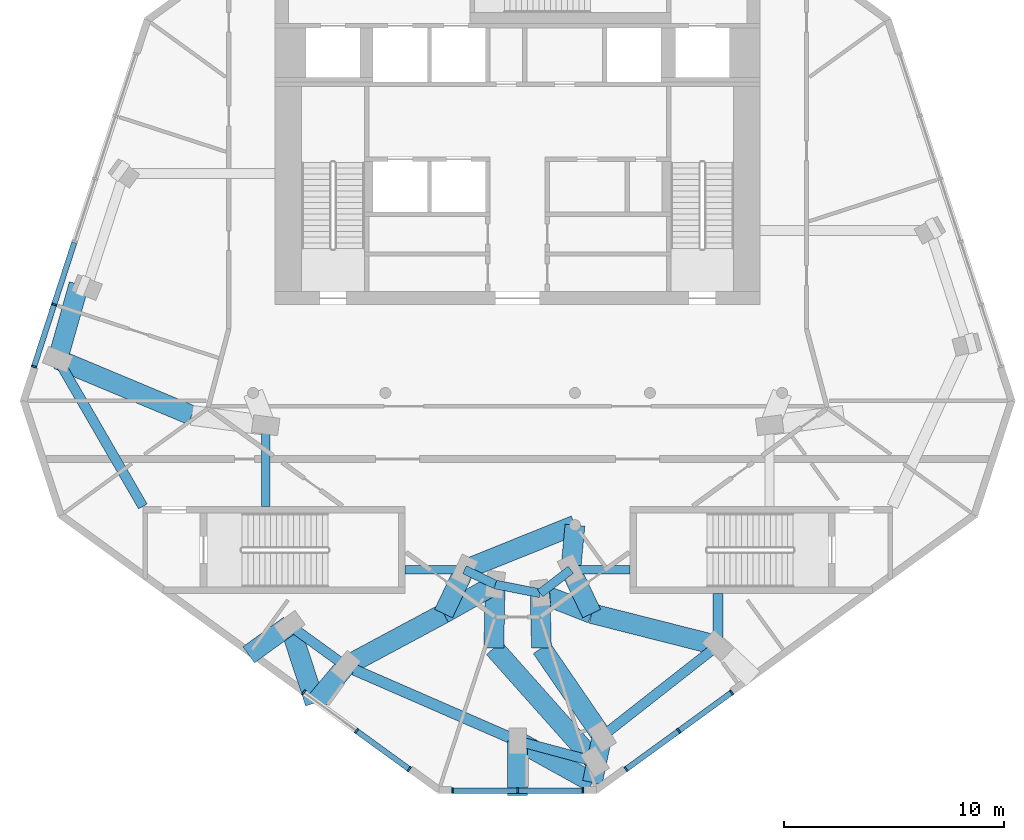
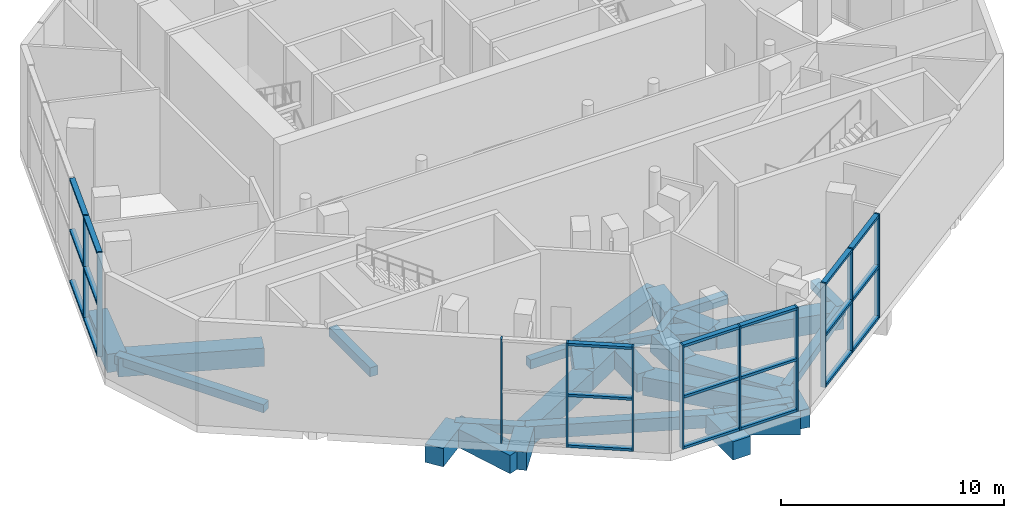
# One storey, part 2 of 11: 32 beams, 32 members, 4 elements without a shape of their own.
"""IFC4 building model written with IfcOpenShell, lengths in metres."""

from ifc_helpers import new_model, si_unit, direction, frame, origin, origin_2d, place, context, subcontext, project, spatial, rectangle, extrude, material, material_profile, profile_set, type_object, element, aggregate, save


model = new_model("IFC4")

# Units and contexts
model_context = context("Model", 3, precision=1e-05, world=origin(), true_north=direction((0.0, 1.0)))
body_context = subcontext(model_context, "Body", "Model", "MODEL_VIEW")
ifc_project = project(units=[si_unit("LENGTHUNIT", "METRE"), si_unit("AREAUNIT", "SQUARE_METRE"), si_unit("VOLUMEUNIT", "CUBIC_METRE"), si_unit("PLANEANGLEUNIT", "RADIAN"), si_unit("MASSUNIT", "GRAM", prefix="KILO")], contexts=[model_context])

# Site, building, storey
site_placement = place(None, origin())
site = spatial("IfcSite", under=ifc_project, at=site_placement, CompositionType="ELEMENT")
building_placement = place(site_placement, origin())
building = spatial("IfcBuilding", under=site, at=building_placement, Name="White Candle Pilgrim Tower", CompositionType="ELEMENT")
storey_placement = place(building_placement, frame((0.0, 0.0, 300.10009765625)))
storey = spatial("IfcBuildingStorey", under=building, at=storey_placement, Name="L71", CompositionType="ELEMENT", Elevation=300.10009765625)

# Curtain wall, members
ifc_material_1 = material(Name="Aluminium and glass", Category="aluminium")
curtain_wall_type = type_object("IfcCurtainWallType", Name="Curtain wall CW4 sky floor glazing", PredefinedType="NOTDEFINED", material=ifc_material_1)
curtain_wall_1_placement = place(storey_placement, origin())
curtain_wall_1 = element("IfcCurtainWall", 1, at=curtain_wall_1_placement, inside=storey, type_object=curtain_wall_type, Name="Curtain wall CW4 L71 SW", PredefinedType="NOTDEFINED")
ifc_material_2 = material(Name="Aluminium", Category="aluminium")
ifc_material_profile_1 = material_profile(ifc_material_2, rectangle(XDim=0.25, YDim=0.080078125, at=origin_2d()), Name="CW4 mullion 80x250")
ifc_profile_set_1 = profile_set([ifc_material_profile_1], Name="Aluminium")
member_type_1 = type_object("IfcMemberType", Name="CW4 mullion 80x250", PredefinedType="MULLION", material=ifc_profile_set_1)
member_1_placement = place(storey_placement, frame((60.294189453125, 53.410888671875, 0.0), z_axis=(0.0, 0.0, 1.0), x_axis=(0.587785260058, 0.809016988733, 0.0)))
member_1 = element("IfcMember", 2, at=member_1_placement, type_object=member_type_1, Name="CW4 mullion 1", PredefinedType="MULLION", context=body_context, shape_type="SweptSolid", body=[
    extrude(rectangle(XDim=0.25, YDim=0.080078125, at=origin_2d()), origin(), (0.0, 0.0, 1.0), 5.699951171875),
])
member_2_placement = place(storey_placement, frame((62.68896484375, 51.671142578125, 0.0), z_axis=(0.0, 0.0, 1.0), x_axis=(0.587785260058, 0.809016988733, 0.0)))
member_2 = element("IfcMember", 3, at=member_2_placement, type_object=member_type_1, Name="CW4 mullion 2", PredefinedType="MULLION", context=body_context, shape_type="SweptSolid", body=[
    extrude(rectangle(XDim=0.25, YDim=0.080078125, at=origin_2d()), origin(), (0.0, 0.0, 1.0), 5.699951171875),
])
member_3_placement = place(storey_placement, frame((65.08349609375, 49.93115234375, 0.0), z_axis=(0.0, 0.0, 1.0), x_axis=(0.587785260058, 0.809016988733, 0.0)))
member_3 = element("IfcMember", 4, at=member_3_placement, type_object=member_type_1, Name="CW4 mullion 3", PredefinedType="MULLION", context=body_context, shape_type="SweptSolid", body=[
    extrude(rectangle(XDim=0.25, YDim=0.080078125, at=origin_2d()), origin(), (0.0, 0.0, 1.0), 5.699951171875),
])

curtain_wall_2_placement = place(storey_placement, origin())
curtain_wall_2 = element("IfcCurtainWall", 5, at=curtain_wall_2_placement, inside=storey, type_object=curtain_wall_type, Name="Curtain wall CW4 L71 S chamfer", PredefinedType="NOTDEFINED")
member_4_placement = place(storey_placement, frame((67.0400390625, 48.961181640625, 0.0), z_axis=(0.0, 0.0, 1.0), x_axis=(0.0, 1.0, 0.0)))
member_4 = element("IfcMember", 6, at=member_4_placement, type_object=member_type_1, Name="CW4 mullion 1", PredefinedType="MULLION", context=body_context, shape_type="SweptSolid", body=[
    extrude(rectangle(XDim=0.25, YDim=0.080078125, at=origin_2d()), origin(), (0.0, 0.0, 1.0), 5.699951171875),
])
member_5_placement = place(storey_placement, frame((70.0, 48.961181640625, 0.0), z_axis=(0.0, 0.0, 1.0), x_axis=(0.0, 1.0, 0.0)))
member_5 = element("IfcMember", 7, at=member_5_placement, type_object=member_type_1, Name="CW4 mullion 2", PredefinedType="MULLION", context=body_context, shape_type="SweptSolid", body=[
    extrude(rectangle(XDim=0.25, YDim=0.080078125, at=origin_2d()), origin(), (0.0, 0.0, 1.0), 5.699951171875),
])
member_6_placement = place(storey_placement, frame((72.9599609375, 48.961181640625, 0.0), z_axis=(0.0, 0.0, 1.0), x_axis=(0.0, 1.0, 0.0)))
member_6 = element("IfcMember", 8, at=member_6_placement, type_object=member_type_1, Name="CW4 mullion 3", PredefinedType="MULLION", context=body_context, shape_type="SweptSolid", body=[
    extrude(rectangle(XDim=0.25, YDim=0.080078125, at=origin_2d()), origin(), (0.0, 0.0, 1.0), 5.699951171875),
])

curtain_wall_3_placement = place(storey_placement, origin())
curtain_wall_3 = element("IfcCurtainWall", 9, at=curtain_wall_3_placement, inside=storey, type_object=curtain_wall_type, Name="Curtain wall CW4 L71 SE", PredefinedType="NOTDEFINED")
member_7_placement = place(storey_placement, frame((74.91650390625, 49.93115234375, 0.0), z_axis=(0.0, 0.0, 1.0), x_axis=(-0.587785260157, 0.809016988661, 0.0)))
member_7 = element("IfcMember", 10, at=member_7_placement, type_object=member_type_1, Name="CW4 mullion 1", PredefinedType="MULLION", context=body_context, shape_type="SweptSolid", body=[
    extrude(rectangle(XDim=0.25, YDim=0.080078125, at=origin_2d()), origin(), (0.0, 0.0, 1.0), 5.699951171875),
])
member_8_placement = place(storey_placement, frame((77.31103515625, 51.671142578125, 0.0), z_axis=(0.0, 0.0, 1.0), x_axis=(-0.587785260157, 0.809016988661, 0.0)))
member_8 = element("IfcMember", 11, at=member_8_placement, type_object=member_type_1, Name="CW4 mullion 2", PredefinedType="MULLION", context=body_context, shape_type="SweptSolid", body=[
    extrude(rectangle(XDim=0.25, YDim=0.080078125, at=origin_2d()), origin(), (0.0, 0.0, 1.0), 5.699951171875),
])
member_9_placement = place(storey_placement, frame((79.705810546875, 53.410888671875, 0.0), z_axis=(0.0, 0.0, 1.0), x_axis=(-0.587785260157, 0.809016988661, 0.0)))
member_9 = element("IfcMember", 12, at=member_9_placement, type_object=member_type_1, Name="CW4 mullion 3", PredefinedType="MULLION", context=body_context, shape_type="SweptSolid", body=[
    extrude(rectangle(XDim=0.25, YDim=0.080078125, at=origin_2d()), origin(), (0.0, 0.0, 1.0), 5.699951171875),
])

curtain_wall_4_placement = place(storey_placement, origin())
curtain_wall_4 = element("IfcCurtainWall", 13, at=curtain_wall_4_placement, inside=storey, type_object=curtain_wall_type, Name="Curtain wall CW4 L71 WNW", PredefinedType="NOTDEFINED")
member_10_placement = place(storey_placement, frame((48.976318359375, 71.007568359375, 0.0), z_axis=(0.0, 0.0, 1.0), x_axis=(0.951056521548, -0.309016978207, 0.0)))
member_10 = element("IfcMember", 14, at=member_10_placement, type_object=member_type_1, Name="CW4 mullion 5", PredefinedType="MULLION", context=body_context, shape_type="SweptSolid", body=[
    extrude(rectangle(XDim=0.25, YDim=0.080078125, at=origin_2d()), origin(), (0.0, 0.0, 1.0), 5.699951171875),
])
member_11_placement = place(storey_placement, frame((48.061767578125, 68.192626953125, 0.0), z_axis=(0.0, 0.0, 1.0), x_axis=(0.951056521548, -0.309016978207, 0.0)))
member_11 = element("IfcMember", 15, at=member_11_placement, type_object=member_type_1, Name="CW4 mullion 6", PredefinedType="MULLION", context=body_context, shape_type="SweptSolid", body=[
    extrude(rectangle(XDim=0.25, YDim=0.080078125, at=origin_2d()), origin(), (0.0, 0.0, 1.0), 5.699951171875),
])

# Member
ifc_material_profile_2 = material_profile(ifc_material_2, rectangle(XDim=0.25, YDim=0.139892578125, at=origin_2d()), Name="CW4 transom 140x250")
ifc_profile_set_2 = profile_set([ifc_material_profile_2], Name="Aluminium")
member_type_2 = type_object("IfcMemberType", Name="CW4 transom 140x250", PredefinedType="USERDEFINED", material=ifc_profile_set_2)
member_12_placement = place(storey_placement, frame((62.72119140625, 51.6474609375, 0.06982421875), z_axis=(0.809021907548, -0.58777848983, 0.0), x_axis=(0.58777848983, 0.809021907548, 0.0)))
member_12 = element("IfcMember", 16, at=member_12_placement, type_object=member_type_2, Name="CW4 transom 2.1", ObjectType="TRANSOM", PredefinedType="USERDEFINED", context=body_context, shape_type="SweptSolid", body=[
    extrude(rectangle(XDim=0.25, YDim=0.139892578125, at=origin_2d()), origin(), (0.0, 0.0, 1.0), 2.880126953125),
])

member_13_placement = place(storey_placement, frame((62.72119140625, 51.6474609375, 2.849853515625), z_axis=(0.809021907548, -0.58777848983, 0.0), x_axis=(0.58777848983, 0.809021907548, 0.0)))
member_13 = element("IfcMember", 17, at=member_13_placement, type_object=member_type_2, Name="CW4 transom 2.2", ObjectType="TRANSOM", PredefinedType="USERDEFINED", context=body_context, shape_type="SweptSolid", body=[
    extrude(rectangle(XDim=0.25, YDim=0.139892578125, at=origin_2d()), origin(), (0.0, 0.0, 1.0), 2.880126953125),
])

member_14_placement = place(storey_placement, frame((62.72119140625, 51.6474609375, 5.6298828125), z_axis=(0.809021907548, -0.58777848983, 0.0), x_axis=(0.58777848983, 0.809021907548, 0.0)))
member_14 = element("IfcMember", 18, at=member_14_placement, type_object=member_type_2, Name="CW4 transom 2.3", ObjectType="TRANSOM", PredefinedType="USERDEFINED", context=body_context, shape_type="SweptSolid", body=[
    extrude(rectangle(XDim=0.25, YDim=0.139892578125, at=origin_2d()), origin(), (0.0, 0.0, 1.0), 2.880126953125),
])

aggregate(curtain_wall_1, [member_1, member_2, member_3, member_12, member_13, member_14])

member_15_placement = place(storey_placement, frame((67.080078125, 48.961181640625, 0.06982421875), z_axis=(1.0, 0.0, 0.0), x_axis=(0.0, 1.0, 0.0)))
member_15 = element("IfcMember", 19, at=member_15_placement, type_object=member_type_2, Name="CW4 transom 1.1", ObjectType="TRANSOM", PredefinedType="USERDEFINED", context=body_context, shape_type="SweptSolid", body=[
    extrude(rectangle(XDim=0.25, YDim=0.139892578125, at=origin_2d()), origin(), (0.0, 0.0, 1.0), 2.8798828125),
])

member_16_placement = place(storey_placement, frame((67.080078125, 48.961181640625, 2.849853515625), z_axis=(1.0, 0.0, 0.0), x_axis=(0.0, 1.0, 0.0)))
member_16 = element("IfcMember", 20, at=member_16_placement, type_object=member_type_2, Name="CW4 transom 1.2", ObjectType="TRANSOM", PredefinedType="USERDEFINED", context=body_context, shape_type="SweptSolid", body=[
    extrude(rectangle(XDim=0.25, YDim=0.139892578125, at=origin_2d()), origin(), (0.0, 0.0, 1.0), 2.8798828125),
])

member_17_placement = place(storey_placement, frame((67.080078125, 48.961181640625, 5.6298828125), z_axis=(1.0, 0.0, 0.0), x_axis=(0.0, 1.0, 0.0)))
member_17 = element("IfcMember", 21, at=member_17_placement, type_object=member_type_2, Name="CW4 transom 1.3", ObjectType="TRANSOM", PredefinedType="USERDEFINED", context=body_context, shape_type="SweptSolid", body=[
    extrude(rectangle(XDim=0.25, YDim=0.139892578125, at=origin_2d()), origin(), (0.0, 0.0, 1.0), 2.8798828125),
])

member_18_placement = place(storey_placement, frame((70.0400390625, 48.961181640625, 0.06982421875), z_axis=(1.0, 0.0, 0.0), x_axis=(0.0, 1.0, 0.0)))
member_18 = element("IfcMember", 22, at=member_18_placement, type_object=member_type_2, Name="CW4 transom 2.1", ObjectType="TRANSOM", PredefinedType="USERDEFINED", context=body_context, shape_type="SweptSolid", body=[
    extrude(rectangle(XDim=0.25, YDim=0.139892578125, at=origin_2d()), origin(), (0.0, 0.0, 1.0), 2.8798828125),
])

member_19_placement = place(storey_placement, frame((70.0400390625, 48.961181640625, 2.849853515625), z_axis=(1.0, 0.0, 0.0), x_axis=(0.0, 1.0, 0.0)))
member_19 = element("IfcMember", 23, at=member_19_placement, type_object=member_type_2, Name="CW4 transom 2.2", ObjectType="TRANSOM", PredefinedType="USERDEFINED", context=body_context, shape_type="SweptSolid", body=[
    extrude(rectangle(XDim=0.25, YDim=0.139892578125, at=origin_2d()), origin(), (0.0, 0.0, 1.0), 2.8798828125),
])

member_20_placement = place(storey_placement, frame((70.0400390625, 48.961181640625, 5.6298828125), z_axis=(1.0, 0.0, 0.0), x_axis=(0.0, 1.0, 0.0)))
member_20 = element("IfcMember", 24, at=member_20_placement, type_object=member_type_2, Name="CW4 transom 2.3", ObjectType="TRANSOM", PredefinedType="USERDEFINED", context=body_context, shape_type="SweptSolid", body=[
    extrude(rectangle(XDim=0.25, YDim=0.139892578125, at=origin_2d()), origin(), (0.0, 0.0, 1.0), 2.8798828125),
])

aggregate(curtain_wall_2, [member_4, member_5, member_6, member_15, member_16, member_17, member_18, member_19, member_20])

member_21_placement = place(storey_placement, frame((74.94873046875, 49.95458984375, 0.06982421875), z_axis=(0.809021907548, 0.58777848983, 0.0), x_axis=(-0.58777848983, 0.809021907548, 0.0)))
member_21 = element("IfcMember", 25, at=member_21_placement, type_object=member_type_2, Name="CW4 transom 1.1", ObjectType="TRANSOM", PredefinedType="USERDEFINED", context=body_context, shape_type="SweptSolid", body=[
    extrude(rectangle(XDim=0.25, YDim=0.139892578125, at=origin_2d()), origin(), (0.0, 0.0, 1.0), 2.880126953125),
])

member_22_placement = place(storey_placement, frame((74.94873046875, 49.95458984375, 2.849853515625), z_axis=(0.809021907548, 0.58777848983, 0.0), x_axis=(-0.58777848983, 0.809021907548, 0.0)))
member_22 = element("IfcMember", 26, at=member_22_placement, type_object=member_type_2, Name="CW4 transom 1.2", ObjectType="TRANSOM", PredefinedType="USERDEFINED", context=body_context, shape_type="SweptSolid", body=[
    extrude(rectangle(XDim=0.25, YDim=0.139892578125, at=origin_2d()), origin(), (0.0, 0.0, 1.0), 2.880126953125),
])

member_23_placement = place(storey_placement, frame((74.94873046875, 49.95458984375, 5.6298828125), z_axis=(0.809021907548, 0.58777848983, 0.0), x_axis=(-0.58777848983, 0.809021907548, 0.0)))
member_23 = element("IfcMember", 27, at=member_23_placement, type_object=member_type_2, Name="CW4 transom 1.3", ObjectType="TRANSOM", PredefinedType="USERDEFINED", context=body_context, shape_type="SweptSolid", body=[
    extrude(rectangle(XDim=0.25, YDim=0.139892578125, at=origin_2d()), origin(), (0.0, 0.0, 1.0), 2.880126953125),
])

member_24_placement = place(storey_placement, frame((77.343505859375, 51.694580078125, 0.06982421875), z_axis=(0.808992618726, 0.587818801032, 0.0), x_axis=(-0.587818801032, 0.808992618726, 0.0)))
member_24 = element("IfcMember", 28, at=member_24_placement, type_object=member_type_2, Name="CW4 transom 2.1", ObjectType="TRANSOM", PredefinedType="USERDEFINED", context=body_context, shape_type="SweptSolid", body=[
    extrude(rectangle(XDim=0.25, YDim=0.139892578125, at=origin_2d()), origin(), (0.0, 0.0, 1.0), 2.8798828125),
])

member_25_placement = place(storey_placement, frame((77.343505859375, 51.694580078125, 2.849853515625), z_axis=(0.808992618726, 0.587818801032, 0.0), x_axis=(-0.587818801032, 0.808992618726, 0.0)))
member_25 = element("IfcMember", 29, at=member_25_placement, type_object=member_type_2, Name="CW4 transom 2.2", ObjectType="TRANSOM", PredefinedType="USERDEFINED", context=body_context, shape_type="SweptSolid", body=[
    extrude(rectangle(XDim=0.25, YDim=0.139892578125, at=origin_2d()), origin(), (0.0, 0.0, 1.0), 2.8798828125),
])

member_26_placement = place(storey_placement, frame((77.343505859375, 51.694580078125, 5.6298828125), z_axis=(0.808992618726, 0.587818801032, 0.0), x_axis=(-0.587818801032, 0.808992618726, 0.0)))
member_26 = element("IfcMember", 30, at=member_26_placement, type_object=member_type_2, Name="CW4 transom 2.3", ObjectType="TRANSOM", PredefinedType="USERDEFINED", context=body_context, shape_type="SweptSolid", body=[
    extrude(rectangle(XDim=0.25, YDim=0.139892578125, at=origin_2d()), origin(), (0.0, 0.0, 1.0), 2.8798828125),
])

aggregate(curtain_wall_3, [member_7, member_8, member_9, member_21, member_22, member_23, member_24, member_25, member_26])

member_27_placement = place(storey_placement, frame((49.89111328125, 73.82275390625, 0.06982421875), z_axis=(-0.309019902571, -0.95105557136, 0.0), x_axis=(0.95105557136, -0.309019902571, 0.0)))
member_27 = element("IfcMember", 31, at=member_27_placement, type_object=member_type_2, Name="CW4 transom 4.1", ObjectType="TRANSOM", PredefinedType="USERDEFINED", context=body_context, shape_type="SweptSolid", body=[
    extrude(rectangle(XDim=0.25, YDim=0.139892578125, at=origin_2d()), origin(), (0.0, 0.0, 1.0), 2.919921875),
])

member_28_placement = place(storey_placement, frame((49.89111328125, 73.82275390625, 2.849853515625), z_axis=(-0.309019902571, -0.95105557136, 0.0), x_axis=(0.95105557136, -0.309019902571, 0.0)))
member_28 = element("IfcMember", 32, at=member_28_placement, type_object=member_type_2, Name="CW4 transom 4.2", ObjectType="TRANSOM", PredefinedType="USERDEFINED", context=body_context, shape_type="SweptSolid", body=[
    extrude(rectangle(XDim=0.25, YDim=0.139892578125, at=origin_2d()), origin(), (0.0, 0.0, 1.0), 2.919921875),
])

member_29_placement = place(storey_placement, frame((49.89111328125, 73.82275390625, 5.6298828125), z_axis=(-0.309019902571, -0.95105557136, 0.0), x_axis=(0.95105557136, -0.309019902571, 0.0)))
member_29 = element("IfcMember", 33, at=member_29_placement, type_object=member_type_2, Name="CW4 transom 4.3", ObjectType="TRANSOM", PredefinedType="USERDEFINED", context=body_context, shape_type="SweptSolid", body=[
    extrude(rectangle(XDim=0.25, YDim=0.139892578125, at=origin_2d()), origin(), (0.0, 0.0, 1.0), 2.919921875),
])

member_30_placement = place(storey_placement, frame((48.964111328125, 70.9697265625, 0.06982421875), z_axis=(-0.309047739241, -0.951046526133, 0.0), x_axis=(0.951046526133, -0.309047739241, 0.0)))
member_30 = element("IfcMember", 34, at=member_30_placement, type_object=member_type_2, Name="CW4 transom 5.1", ObjectType="TRANSOM", PredefinedType="USERDEFINED", context=body_context, shape_type="SweptSolid", body=[
    extrude(rectangle(XDim=0.25, YDim=0.139892578125, at=origin_2d()), origin(), (0.0, 0.0, 1.0), 2.88037109375),
])

member_31_placement = place(storey_placement, frame((48.964111328125, 70.9697265625, 2.849853515625), z_axis=(-0.309047739241, -0.951046526133, 0.0), x_axis=(0.951046526133, -0.309047739241, 0.0)))
member_31 = element("IfcMember", 35, at=member_31_placement, type_object=member_type_2, Name="CW4 transom 5.2", ObjectType="TRANSOM", PredefinedType="USERDEFINED", context=body_context, shape_type="SweptSolid", body=[
    extrude(rectangle(XDim=0.25, YDim=0.139892578125, at=origin_2d()), origin(), (0.0, 0.0, 1.0), 2.88037109375),
])

member_32_placement = place(storey_placement, frame((48.964111328125, 70.9697265625, 5.6298828125), z_axis=(-0.309047739241, -0.951046526133, 0.0), x_axis=(0.951046526133, -0.309047739241, 0.0)))
member_32 = element("IfcMember", 36, at=member_32_placement, type_object=member_type_2, Name="CW4 transom 5.3", ObjectType="TRANSOM", PredefinedType="USERDEFINED", context=body_context, shape_type="SweptSolid", body=[
    extrude(rectangle(XDim=0.25, YDim=0.139892578125, at=origin_2d()), origin(), (0.0, 0.0, 1.0), 2.88037109375),
])

aggregate(curtain_wall_4, [member_10, member_11, member_27, member_28, member_29, member_30, member_31, member_32])

# Beams
ifc_material_3 = material(Name="Concrete C50/60", Category="concrete")
ifc_material_profile_3 = material_profile(ifc_material_3, rectangle(XDim=0.39990234375, YDim=0.5, at=origin_2d()), Name="RC-BM 400x500")
ifc_profile_set_3 = profile_set([ifc_material_profile_3], Name="Concrete C50/60")
beam_type_1 = type_object("IfcBeamType", Name="Ring beam RC-BM 400x500 C50/60", PredefinedType="BEAM", material=ifc_profile_set_3)
beam_1_placement = place(storey_placement, frame((67.590087890625, 58.97998046875, -0.650146484375), z_axis=(0.90082062776, -0.434191428522, 0.0), x_axis=(0.434191428522, 0.90082062776, 0.0)))
element("IfcBeam", 37, at=beam_1_placement, inside=storey, type_object=beam_type_1, Name="L71 ring beam R01", PredefinedType="BEAM", context=body_context, shape_type="SweptSolid", body=[
    extrude(rectangle(XDim=0.39990234375, YDim=0.5, at=origin_2d()), origin(), (0.0, 0.0, 1.0), 1.54296875),
])
beam_2_placement = place(storey_placement, frame((68.97998046875, 58.31005859375, -0.650146484375), z_axis=(0.981301138668, -0.19247876571, 0.0), x_axis=(0.19247876571, 0.981301138668, 0.0)))
element("IfcBeam", 38, at=beam_2_placement, inside=storey, type_object=beam_type_1, Name="L71 ring beam R02", PredefinedType="BEAM", context=body_context, shape_type="SweptSolid", body=[
    extrude(rectangle(XDim=0.39990234375, YDim=0.5, at=origin_2d()), origin(), (0.0, 0.0, 1.0), 2.078857421875),
])
beam_3_placement = place(storey_placement, frame((71.02001953125, 57.909912109375, -0.650146484375), z_axis=(0.792370389705, 0.610040298275, 0.0), x_axis=(-0.610040298275, 0.792370389705, 0.0)))
element("IfcBeam", 39, at=beam_3_placement, inside=storey, type_object=beam_type_1, Name="L71 ring beam R03", PredefinedType="BEAM", context=body_context, shape_type="SweptSolid", body=[
    extrude(rectangle(XDim=0.39990234375, YDim=0.5, at=origin_2d()), origin(), (0.0, 0.0, 1.0), 1.754150390625),
])
beam_4_placement = place(storey_placement, frame((72.409912109375, 58.97998046875, -0.650146484375), z_axis=(1.0, 0.0, 0.0), x_axis=(0.0, 1.0, 0.0)))
element("IfcBeam", 40, at=beam_4_placement, inside=storey, type_object=beam_type_1, Name="L71 ring beam R04", PredefinedType="BEAM", context=body_context, shape_type="SweptSolid", body=[
    extrude(rectangle(XDim=0.39990234375, YDim=0.5, at=origin_2d()), origin(), (0.0, 0.0, 1.0), 2.690185546875),
])
beam_5_placement = place(storey_placement, frame((58.570068359375, 65.530029296875, -0.650146484375), z_axis=(0.0, -1.0, 0.0), x_axis=(1.0, 0.0, 0.0)))
element("IfcBeam", 41, at=beam_5_placement, inside=storey, type_object=beam_type_1, Name="L71 ring beam R06", PredefinedType="BEAM", context=body_context, shape_type="SweptSolid", body=[
    extrude(rectangle(XDim=0.39990234375, YDim=0.5, at=origin_2d()), origin(), (0.0, 0.0, 1.0), 3.679931640625),
])
beam_6_placement = place(storey_placement, frame((67.590087890625, 58.97998046875, -0.650146484375), z_axis=(-1.0, 0.0, 0.0), x_axis=(0.0, -1.0, 0.0)))
element("IfcBeam", 42, at=beam_6_placement, inside=storey, type_object=beam_type_1, Name="L71 ring beam R07", PredefinedType="BEAM", context=body_context, shape_type="SweptSolid", body=[
    extrude(rectangle(XDim=0.39990234375, YDim=0.5, at=origin_2d()), origin(), (0.0, 0.0, 1.0), 2.690185546875),
])
ifc_material_profile_4 = material_profile(ifc_material_3, rectangle(XDim=0.449951171875, YDim=0.449951171875, at=origin_2d()), Name="RC-BM 450x450")
ifc_profile_set_4 = profile_set([ifc_material_profile_4], Name="Concrete C50/60")
beam_type_2 = type_object("IfcBeamType", Name="Spandrel beam RC-BM 450x450 C50/60", PredefinedType="BEAM", material=ifc_profile_set_4)
beam_7_placement = place(storey_placement, frame((59.64990234375, 56.4599609375, -0.625), z_axis=(0.809449292887, -0.587189783839, 0.0), x_axis=(0.587189783839, 0.809449292887, 0.0)))
element("IfcBeam", 43, at=beam_7_placement, inside=storey, type_object=beam_type_2, Name="L71 spandrel beam T01", PredefinedType="BEAM", context=body_context, shape_type="SweptSolid", body=[
    extrude(rectangle(XDim=0.449951171875, YDim=0.449951171875, at=origin_2d()), origin(), (0.0, 0.0, 1.0), 3.150390625),
])
beam_8_placement = place(storey_placement, frame((70.0, 51.2099609375, -0.625), z_axis=(0.965964541732, -0.258674513853, 0.0), x_axis=(0.258674513853, 0.965964541732, 0.0)))
element("IfcBeam", 44, at=beam_8_placement, inside=storey, type_object=beam_type_2, Name="L71 spandrel beam T03", PredefinedType="BEAM", context=body_context, shape_type="SweptSolid", body=[
    extrude(rectangle(XDim=0.449951171875, YDim=0.449951171875, at=origin_2d()), origin(), (0.0, 0.0, 1.0), 3.6337890625),
])
beam_9_placement = place(storey_placement, frame((73.830078125, 51.419921875, -0.625), z_axis=(0.786673649107, 0.617369070979, 0.0), x_axis=(-0.617369070979, 0.786673649107, 0.0)))
element("IfcBeam", 45, at=beam_9_placement, inside=storey, type_object=beam_type_2, Name="L71 spandrel beam T04", PredefinedType="BEAM", context=body_context, shape_type="SweptSolid", body=[
    extrude(rectangle(XDim=0.449951171875, YDim=0.449951171875, at=origin_2d()), origin(), (0.0, 0.0, 1.0), 6.673583984375),
])
beam_10_placement = place(storey_placement, frame((79.080078125, 55.5400390625, -0.625), z_axis=(0.0, 1.0, 0.0), x_axis=(-1.0, 0.0, 0.0)))
element("IfcBeam", 46, at=beam_10_placement, inside=storey, type_object=beam_type_2, Name="L71 spandrel beam T05", PredefinedType="BEAM", context=body_context, shape_type="SweptSolid", body=[
    extrude(rectangle(XDim=0.449951171875, YDim=0.449951171875, at=origin_2d()), origin(), (0.0, 0.0, 1.0), 2.35986328125),
])
beam_11_placement = place(storey_placement, frame((49.139892578125, 68.52001953125, -0.625), z_axis=(0.500897646253, -0.865506526826, 0.0), x_axis=(0.865506526826, 0.500897646253, 0.0)))
element("IfcBeam", 47, at=beam_11_placement, inside=storey, type_object=beam_type_2, Name="L71 spandrel beam T12", PredefinedType="BEAM", context=body_context, shape_type="SweptSolid", body=[
    extrude(rectangle(XDim=0.449951171875, YDim=0.449951171875, at=origin_2d()), origin(), (0.0, 0.0, 1.0), 7.706298828125),
])
ifc_material_profile_5 = material_profile(ifc_material_3, rectangle(XDim=0.5, YDim=0.699951171875, at=origin_2d()), Name="RC-BM 500x700")
ifc_profile_set_5 = profile_set([ifc_material_profile_5], Name="Concrete C50/60")
beam_type_3 = type_object("IfcBeamType", Name="Spandrel beam RC-BM 500x700 C50/60", PredefinedType="BEAM", material=ifc_profile_set_5)
beam_12_placement = place(storey_placement, frame((62.199951171875, 54.610107421875, -0.75), z_axis=(0.91669057491, -0.399597785119, 0.0), x_axis=(0.399597785119, 0.91669057491, 0.0)))
element("IfcBeam", 48, at=beam_12_placement, inside=storey, type_object=beam_type_3, Name="L71 spandrel beam T02", PredefinedType="BEAM", context=body_context, shape_type="SweptSolid", body=[
    extrude(rectangle(XDim=0.5, YDim=0.699951171875, at=origin_2d()), origin(), (0.0, 0.0, 1.0), 8.509033203125),
])
ifc_material_profile_6 = material_profile(ifc_material_3, rectangle(XDim=0.89990234375, YDim=1.0, at=origin_2d()), Name="RC-BM 900x1000")
ifc_profile_set_6 = profile_set([ifc_material_profile_6], Name="Concrete C50/60")
beam_type_4 = type_object("IfcBeamType", Name="Transfer girder RC-BM 900x1000 C50/60", PredefinedType="BEAM", material=ifc_profile_set_6)
beam_13_placement = place(storey_placement, frame((50.10009765625, 71.919921875, -0.900146484375), z_axis=(-0.271790060331, -0.962356567549, 0.0), x_axis=(0.962356567549, -0.271790060331, 0.0)))
element("IfcBeam", 49, at=beam_13_placement, inside=storey, type_object=beam_type_4, Name="L71 transfer girder X01", PredefinedType="BEAM", context=body_context, shape_type="SweptSolid", body=[
    extrude(rectangle(XDim=0.89990234375, YDim=1.0, at=origin_2d()), origin(), (0.0, 0.0, 1.0), 3.532958984375),
])
beam_14_placement = place(storey_placement, frame((49.139892578125, 68.52001953125, -0.900146484375), z_axis=(0.922716972016, -0.385478131097, 0.0), x_axis=(0.385478131097, 0.922716972016, 0.0)))
element("IfcBeam", 50, at=beam_14_placement, inside=storey, type_object=beam_type_4, Name="L71 transfer girder X02", PredefinedType="BEAM", context=body_context, shape_type="SweptSolid", body=[
    extrude(rectangle(XDim=0.89990234375, YDim=1.0, at=origin_2d()), origin(), (0.0, 0.0, 1.0), 6.58935546875),
])
beam_15_placement = place(storey_placement, frame((68.919921875, 55.429931640625, -0.900146484375), z_axis=(0.020848226873, 0.999782652098, 0.0), x_axis=(-0.999782652098, 0.020848226873, 0.0)))
element("IfcBeam", 51, at=beam_15_placement, inside=storey, type_object=beam_type_4, Name="L71 transfer girder X07", PredefinedType="BEAM", context=body_context, shape_type="SweptSolid", body=[
    extrude(rectangle(XDim=0.89990234375, YDim=1.0, at=origin_2d()), origin(), (0.0, 0.0, 1.0), 2.880859375),
])
beam_16_placement = place(storey_placement, frame((68.97998046875, 58.31005859375, -0.900146484375), z_axis=(-0.870975476541, -0.491326489479, 0.0), x_axis=(0.491326489479, -0.870975476541, 0.0)))
element("IfcBeam", 52, at=beam_16_placement, inside=storey, type_object=beam_type_4, Name="L71 transfer girder X08", PredefinedType="BEAM", context=body_context, shape_type="SweptSolid", body=[
    extrude(rectangle(XDim=0.89990234375, YDim=1.0, at=origin_2d()), origin(), (0.0, 0.0, 1.0), 2.686767578125),
])
beam_17_placement = place(storey_placement, frame((71.080078125, 55.429931640625, -0.900146484375), z_axis=(-0.024210267235, 0.999706888523, 0.0), x_axis=(-0.999706888523, -0.024210267235, 0.0)))
element("IfcBeam", 53, at=beam_17_placement, inside=storey, type_object=beam_type_4, Name="L71 transfer girder X09", PredefinedType="BEAM", context=body_context, shape_type="SweptSolid", body=[
    extrude(rectangle(XDim=0.89990234375, YDim=1.0, at=origin_2d()), origin(), (0.0, 0.0, 1.0), 2.480712890625),
])
beam_18_placement = place(storey_placement, frame((71.02001953125, 57.909912109375, -0.900146484375), z_axis=(0.930670038038, -0.365859645626, 0.0), x_axis=(0.365859645626, 0.930670038038, 0.0)))
element("IfcBeam", 54, at=beam_18_placement, inside=storey, type_object=beam_type_4, Name="L71 transfer girder X10", PredefinedType="BEAM", context=body_context, shape_type="SweptSolid", body=[
    extrude(rectangle(XDim=0.89990234375, YDim=1.0, at=origin_2d()), origin(), (0.0, 0.0, 1.0), 2.514404296875),
])
beam_19_placement = place(storey_placement, frame((70.0, 48.72998046875, -0.900146484375), z_axis=(0.0, 1.0, 0.0), x_axis=(-1.0, 0.0, 0.0)))
element("IfcBeam", 55, at=beam_19_placement, inside=storey, type_object=beam_type_4, Name="L71 transfer girder X11", PredefinedType="BEAM", context=body_context, shape_type="SweptSolid", body=[
    extrude(rectangle(XDim=0.89990234375, YDim=1.0, at=origin_2d()), origin(), (0.0, 0.0, 1.0), 2.47998046875),
])
beam_20_placement = place(storey_placement, frame((70.0, 51.2099609375, -0.900146484375), z_axis=(0.874528386573, -0.484974330329, 0.0), x_axis=(0.484974330329, 0.874528386573, 0.0)))
element("IfcBeam", 56, at=beam_20_placement, inside=storey, type_object=beam_type_4, Name="L71 transfer girder X12", PredefinedType="BEAM", context=body_context, shape_type="SweptSolid", body=[
    extrude(rectangle(XDim=0.89990234375, YDim=1.0, at=origin_2d()), origin(), (0.0, 0.0, 1.0), 3.876220703125),
])
beam_21_placement = place(storey_placement, frame((57.800048828125, 55.1201171875, -0.900146484375), z_axis=(0.809880836502, 0.586594434568, 0.0), x_axis=(-0.586594434568, 0.809880836502, 0.0)))
element("IfcBeam", 57, at=beam_21_placement, inside=storey, type_object=beam_type_4, Name="L71 transfer girder X13", PredefinedType="BEAM", context=body_context, shape_type="SweptSolid", body=[
    extrude(rectangle(XDim=0.89990234375, YDim=1.0, at=origin_2d()), origin(), (0.0, 0.0, 1.0), 2.2841796875),
])
beam_22_placement = place(storey_placement, frame((59.64990234375, 56.4599609375, -0.900146484375), z_axis=(0.31302457774, -0.949745025642, 0.0), x_axis=(0.949745025642, 0.31302457774, 0.0)))
element("IfcBeam", 58, at=beam_22_placement, inside=storey, type_object=beam_type_4, Name="L71 transfer girder X14", PredefinedType="BEAM", context=body_context, shape_type="SweptSolid", body=[
    extrude(rectangle(XDim=0.89990234375, YDim=1.0, at=origin_2d()), origin(), (0.0, 0.0, 1.0), 3.706298828125),
])
beam_23_placement = place(storey_placement, frame((79.080078125, 55.5400390625, -0.900146484375), z_axis=(-0.969341444546, 0.245717650739, 0.0), x_axis=(-0.245717650739, -0.969341444546, 0.0)))
element("IfcBeam", 59, at=beam_23_placement, inside=storey, type_object=beam_type_4, Name="L71 transfer girder X16", PredefinedType="BEAM", context=body_context, shape_type="SweptSolid", body=[
    extrude(rectangle(XDim=0.89990234375, YDim=1.0, at=origin_2d()), origin(), (0.0, 0.0, 1.0), 5.90087890625),
])
beam_24_placement = place(storey_placement, frame((73.360107421875, 56.989990234375, -0.900146484375), z_axis=(-0.430887378963, 0.90240571067, 0.0), x_axis=(-0.90240571067, -0.430887378963, 0.0)))
element("IfcBeam", 60, at=beam_24_placement, inside=storey, type_object=beam_type_4, Name="L71 transfer girder X17", PredefinedType="BEAM", context=body_context, shape_type="SweptSolid", body=[
    extrude(rectangle(XDim=0.89990234375, YDim=1.0, at=origin_2d()), origin(), (0.0, 0.0, 1.0), 2.205322265625),
])
beam_25_placement = place(storey_placement, frame((72.409912109375, 58.97998046875, -0.900146484375), z_axis=(0.093735816446, 0.995597105618, 0.0), x_axis=(-0.995597105618, 0.093735816446, 0.0)))
element("IfcBeam", 61, at=beam_25_placement, inside=storey, type_object=beam_type_4, Name="L71 transfer girder X18", PredefinedType="BEAM", context=body_context, shape_type="SweptSolid", body=[
    extrude(rectangle(XDim=0.89990234375, YDim=1.0, at=origin_2d()), origin(), (0.0, 0.0, 1.0), 2.029052734375),
])
beam_26_placement = place(storey_placement, frame((66.639892578125, 56.989990234375, -0.900146484375), z_axis=(0.430887378963, 0.90240571067, 0.0), x_axis=(-0.90240571067, 0.430887378963, 0.0)))
element("IfcBeam", 62, at=beam_26_placement, inside=storey, type_object=beam_type_4, Name="L71 transfer girder X19", PredefinedType="BEAM", context=body_context, shape_type="SweptSolid", body=[
    extrude(rectangle(XDim=0.89990234375, YDim=1.0, at=origin_2d()), origin(), (0.0, 0.0, 1.0), 2.205322265625),
])
beam_27_placement = place(storey_placement, frame((67.590087890625, 58.97998046875, -0.900146484375), z_axis=(0.927450826311, 0.373945136051, 0.0), x_axis=(-0.373945136051, 0.927450826311, 0.0)))
element("IfcBeam", 63, at=beam_27_placement, inside=storey, type_object=beam_type_4, Name="L71 transfer girder X20", PredefinedType="BEAM", context=body_context, shape_type="SweptSolid", body=[
    extrude(rectangle(XDim=0.89990234375, YDim=1.0, at=origin_2d()), origin(), (0.0, 0.0, 1.0), 5.40185546875),
])
beam_28_placement = place(storey_placement, frame((60.81005859375, 52.93994140625, -0.900146484375), z_axis=(0.639664819107, 0.768653965837, 0.0), x_axis=(-0.768653965837, 0.639664819107, 0.0)))
element("IfcBeam", 64, at=beam_28_placement, inside=storey, type_object=beam_type_4, Name="L71 transfer girder X21", PredefinedType="BEAM", context=body_context, shape_type="SweptSolid", body=[
    extrude(rectangle(XDim=0.89990234375, YDim=1.0, at=origin_2d()), origin(), (0.0, 0.0, 1.0), 2.1728515625),
])
beam_29_placement = place(storey_placement, frame((62.199951171875, 54.610107421875, -0.900146484375), z_axis=(0.881368992098, 0.472428512865, 0.0), x_axis=(-0.472428512865, 0.881368992098, 0.0)))
element("IfcBeam", 65, at=beam_29_placement, inside=storey, type_object=beam_type_4, Name="L71 transfer girder X22", PredefinedType="BEAM", context=body_context, shape_type="SweptSolid", body=[
    extrude(rectangle(XDim=0.89990234375, YDim=1.0, at=origin_2d()), origin(), (0.0, 0.0, 1.0), 5.03759765625),
])
beam_30_placement = place(storey_placement, frame((73.389892578125, 49.330078125, -0.900146484375), z_axis=(0.206108420262, 0.978529161087, 0.0), x_axis=(-0.978529161087, 0.206108420262, 0.0)))
element("IfcBeam", 66, at=beam_30_placement, inside=storey, type_object=beam_type_4, Name="L71 transfer girder X23", PredefinedType="BEAM", context=body_context, shape_type="SweptSolid", body=[
    extrude(rectangle(XDim=0.89990234375, YDim=1.0, at=origin_2d()), origin(), (0.0, 0.0, 1.0), 2.1357421875),
])
beam_31_placement = place(storey_placement, frame((73.830078125, 51.419921875, -0.900146484375), z_axis=(-0.565567385591, 0.824702087032, 0.0), x_axis=(-0.824702087032, -0.565567385591, 0.0)))
element("IfcBeam", 67, at=beam_31_placement, inside=storey, type_object=beam_type_4, Name="L71 transfer girder X24", PredefinedType="BEAM", context=body_context, shape_type="SweptSolid", body=[
    extrude(rectangle(XDim=0.89990234375, YDim=1.0, at=origin_2d()), origin(), (0.0, 0.0, 1.0), 4.8623046875),
])
beam_32_placement = place(storey_placement, frame((73.510009765625, 50.27001953125, -0.900146484375), z_axis=(-0.664646848394, 0.747157658678, 0.0), x_axis=(-0.747157658678, -0.664646848394, 0.0)))
element("IfcBeam", 68, at=beam_32_placement, inside=storey, type_object=beam_type_4, Name="L71 transfer girder X25", PredefinedType="BEAM", context=body_context, shape_type="SweptSolid", body=[
    extrude(rectangle(XDim=0.89990234375, YDim=1.0, at=origin_2d()), origin(), (0.0, 0.0, 1.0), 6.906005859375),
])

save(model, "model.ifc")
